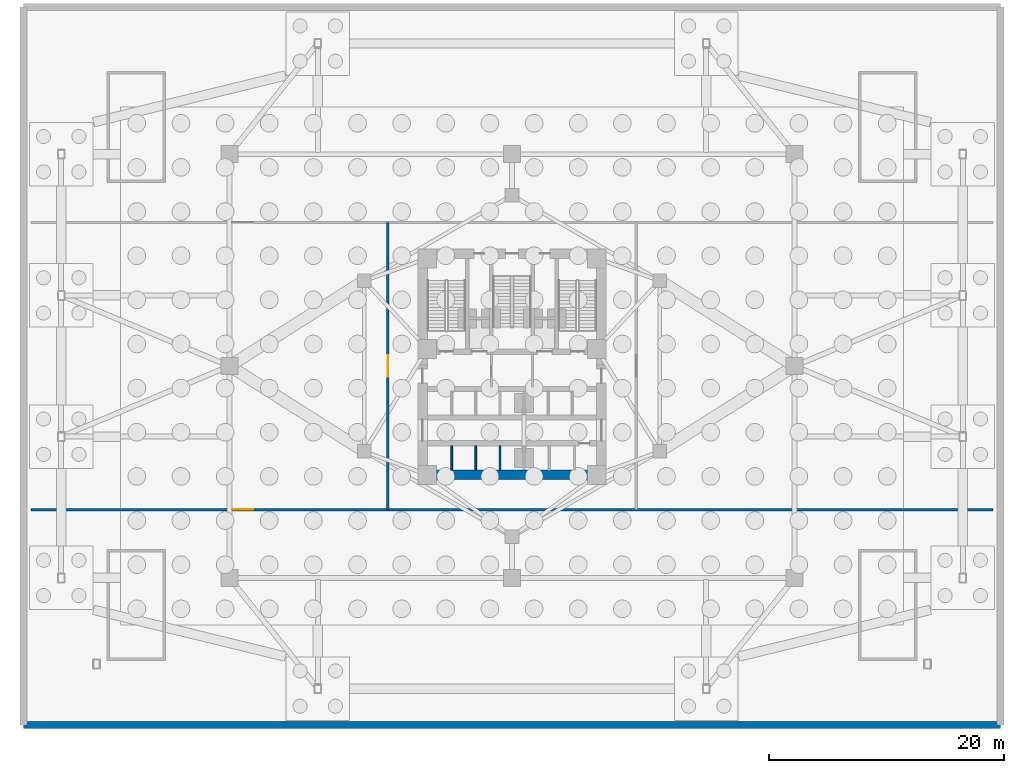
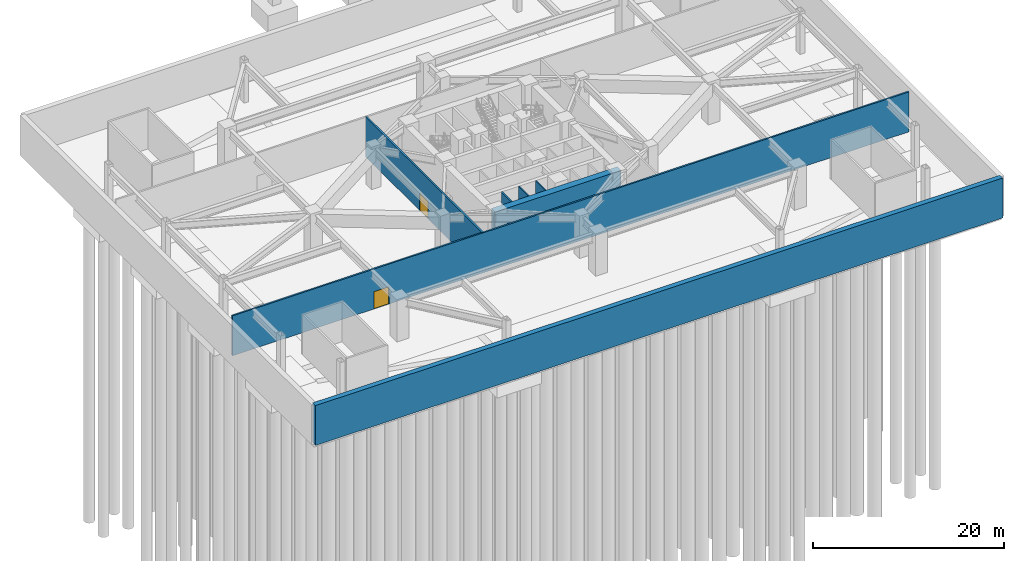
# One storey, part 4 of 8: 7 walls, 2 doors, 2 openings.
"""IFC4 building model written with IfcOpenShell, lengths in metres."""

from ifc_helpers import new_model, si_unit, direction, frame, frame_2d, origin, place, context, subcontext, project, spatial, rectangle, extrude, material, layer, layer_set, type_object, element, fill, save


model = new_model("IFC4")

# Units and contexts
model_context = context("Model", 3, precision=1e-05, world=origin(), true_north=direction((0.0, 1.0)))
body_context = subcontext(model_context, "Body", "Model", "MODEL_VIEW")
ifc_project = project(units=[si_unit("LENGTHUNIT", "METRE"), si_unit("AREAUNIT", "SQUARE_METRE"), si_unit("VOLUMEUNIT", "CUBIC_METRE"), si_unit("PLANEANGLEUNIT", "RADIAN"), si_unit("MASSUNIT", "GRAM", prefix="KILO")], contexts=[model_context])

# Site, building, storey
site_placement = place(None, origin())
site = spatial("IfcSite", under=ifc_project, at=site_placement, CompositionType="ELEMENT")
building_placement = place(site_placement, origin())
building = spatial("IfcBuilding", under=site, at=building_placement, Name="Apsidion Concourse Tower", CompositionType="ELEMENT")
storey_placement = place(building_placement, frame((0.0, 0.0, -5.39990234375)))
storey = spatial("IfcBuildingStorey", under=building, at=storey_placement, Name="B01", CompositionType="ELEMENT", Elevation=-5.39990234375)

# Walls
ifc_material_1 = material(Name="Gypsum plasterboard partition")
ifc_layer_1 = layer(ifc_material_1, 0.14990234375)
ifc_layer_set_1 = layer_set([ifc_layer_1], Name="Gypsum plasterboard partition")
wall_type_1 = type_object("IfcWallType", Name="WL-INT-PAR-150", PredefinedType="PARTITIONING", material=ifc_layer_set_1)
for number, where, z_axis, x_axis, name in (
    (1, (-5.125, -8.85009765625, 0.0), (0.0, 0.0, 1.0), (0.0, 1.0, 0.0), "B01 Interior Partition WL-B01-B2DIV-1"),
    (2, (-3.074951171875, -8.85009765625, 0.0), (0.0, 0.0, 1.0), (0.0, 1.0, 0.0), "B01 Interior Partition WL-B01-B2DIV-2"),
    (3, (-1.02490234375, -8.85009765625, 0.0), (0.0, 0.0, 1.0), (0.0, 1.0, 0.0), "B01 Interior Partition WL-B01-B2DIV-3"),
):
    element("IfcWall", number, at=place(storey_placement, frame(where, z_axis=z_axis, x_axis=x_axis)), inside=storey, type_object=wall_type_1, Name=name, PredefinedType="PARTITIONING", context=body_context, shape_type="SweptSolid", body=[
        extrude(rectangle(XDim=2.080078125, YDim=0.14990234375, at=frame_2d((1.0400390625, 0.0))), origin(), (0.0, 0.0, 1.0), 5.099853515625),
    ])

# Wall, opening, door
ifc_layer_2 = layer(ifc_material_1, 0.199951171875)
ifc_layer_set_2 = layer_set([ifc_layer_2], Name="Gypsum plasterboard partition")
wall_type_2 = type_object("IfcWallType", Name="WL-INT-PAR-200", PredefinedType="PARTITIONING", material=ifc_layer_set_2)
wall_1_placement = place(storey_placement, frame((-10.550048828125, -12.199951171875, 0.0), z_axis=(0.0, 0.0, 1.0), x_axis=(0.0, 1.0, 0.0)))
wall_1 = element("IfcWall", 4, at=wall_1_placement, inside=storey, type_object=wall_type_2, Name="B01 Interior Partition WL-B01-W", PredefinedType="PARTITIONING", context=body_context, shape_type="SweptSolid", body=[
    extrude(rectangle(XDim=24.39990234375, YDim=0.199951171875, at=frame_2d((12.199951171875, 0.0))), origin(), (0.0, 0.0, 1.0), 5.099853515625),
])
opening_1_placement = place(wall_1_placement, frame((11.300048828125, 0.0, 0.0)))
opening_1 = element("IfcOpeningElement", 5, at=opening_1_placement, cuts=wall_1, Name="Opening D-06D", PredefinedType="OPENING", context=body_context, shape_type="SweptSolid", body=[
    extrude(rectangle(XDim=1.800048828125, YDim=2.199951171875, at=frame_2d((0.89990234375, 1.10009765625))), frame((0.0, 0.10986328125, 0.0), z_axis=(0.0, -1.0, 0.0), x_axis=(1.0, 0.0, 0.0)), (0.0, 0.0, 1.0), 0.219970703125),
])
ifc_material_2 = material(Name="Brushed stainless steel 316", Category="steel")
door_type = type_object("IfcDoorType", Name="DR-INT-D06D", OperationType="DOUBLE_DOOR_SINGLE_SWING", PredefinedType="DOOR", material=ifc_material_2)
door_1_placement = place(opening_1_placement, origin())
door_1 = element("IfcDoor", 6, at=door_1_placement, inside=storey, type_object=door_type, Name="B01 Plant Door WL-B01-W", OperationType="DOUBLE_DOOR_SINGLE_SWING", OverallHeight=2.199951171875, OverallWidth=1.800048828125, PredefinedType="DOOR", context=body_context, shape_type="SweptSolid", body=[
    extrude(rectangle(XDim=1.800048828125, YDim=2.199951171875, at=frame_2d((0.89990234375, 1.10009765625))), frame((0.0, 0.02490234375, 0.0), z_axis=(0.0, -1.0, 0.0), x_axis=(1.0, 0.0, 0.0)), (0.0, 0.0, 1.0), 0.050048828125),
])
fill(opening_1, door_1)

wall_2_placement = place(storey_placement, frame((-40.85009765625, -12.199951171875, 0.0), z_axis=(0.0, 0.0, 1.0), x_axis=(1.0, 0.0, 0.0)))
wall_2 = element("IfcWall", 7, at=wall_2_placement, inside=storey, type_object=wall_type_2, Name="B01 Interior Partition WL-B01-S", PredefinedType="PARTITIONING", context=body_context, shape_type="SweptSolid", body=[
    extrude(rectangle(XDim=81.7001953125, YDim=0.199951171875, at=frame_2d((40.85009765625, 0.0))), origin(), (0.0, 0.0, 1.0), 5.099853515625),
])
opening_2_placement = place(wall_2_placement, frame((17.073974609375, 0.0, 0.0)))
opening_2 = element("IfcOpeningElement", 8, at=opening_2_placement, cuts=wall_2, Name="Opening D-06D", PredefinedType="OPENING", context=body_context, shape_type="SweptSolid", body=[
    extrude(rectangle(XDim=1.800048828125, YDim=2.199951171875, at=frame_2d((0.89990234375, 1.10009765625))), frame((0.0, 0.10986328125, 0.0), z_axis=(0.0, -1.0, 0.0), x_axis=(1.0, 0.0, 0.0)), (0.0, 0.0, 1.0), 0.219970703125),
])
door_2_placement = place(opening_2_placement, origin())
door_2 = element("IfcDoor", 9, at=door_2_placement, inside=storey, type_object=door_type, Name="B01 Plant Door WL-B01-S", OperationType="DOUBLE_DOOR_SINGLE_SWING", OverallHeight=2.199951171875, OverallWidth=1.800048828125, PredefinedType="DOOR", context=body_context, shape_type="SweptSolid", body=[
    extrude(rectangle(XDim=1.800048828125, YDim=2.199951171875, at=frame_2d((0.89990234375, 1.10009765625))), frame((0.0, 0.02490234375, 0.0), z_axis=(0.0, -1.0, 0.0), x_axis=(1.0, 0.0, 0.0)), (0.0, 0.0, 1.0), 0.050048828125),
])
fill(opening_2, door_2)

# Walls
ifc_material_3 = material(Name="Concrete C50/60", Category="concrete")
ifc_layer_3 = layer(ifc_material_3, 0.60009765625)
ifc_layer_set_3 = layer_set([ifc_layer_3], Name="Concrete C50/60")
wall_type_3 = type_object("IfcWallType", Name="WL-RET-600", PredefinedType="SHEAR", material=ifc_layer_set_3)
wall_3_placement = place(storey_placement, frame((-41.5, -30.5, 0.0), z_axis=(0.0, 0.0, 1.0), x_axis=(1.0, 0.0, 0.0)))
element("IfcWall", 10, at=wall_3_placement, inside=storey, type_object=wall_type_3, Name="B01 Perimeter Retaining Wall S", PredefinedType="SHEAR", context=body_context, shape_type="SweptSolid", body=[
    extrude(rectangle(XDim=83.0, YDim=0.60009765625, at=frame_2d((41.5, 0.0))), origin(), (0.0, 0.0, 1.0), 5.099853515625),
])
ifc_material_4 = material(Name="Concrete C60/75", Category="concrete")
ifc_layer_4 = layer(ifc_material_4, 0.800048828125)
ifc_layer_set_4 = layer_set([ifc_layer_4], Name="Concrete C60/75")
wall_type_4 = type_object("IfcWallType", Name="WL-SH-800", PredefinedType="SHEAR", material=ifc_layer_set_4)
wall_4_placement = place(storey_placement, frame((-7.60009765625, -9.25, 0.0), z_axis=(0.0, 0.0, 1.0), x_axis=(1.0, 0.0, 0.0)))
element("IfcWall", 11, at=wall_4_placement, inside=storey, type_object=wall_type_4, Name="B01 Central Core Shear Wall S", PredefinedType="SHEAR", context=body_context, shape_type="SweptSolid", body=[
    extrude(rectangle(XDim=15.2001953125, YDim=0.800048828125, at=frame_2d((7.60009765625, 0.0))), origin(), (0.0, 0.0, 1.0), 5.099853515625),
])

save(model, "model.ifc")
